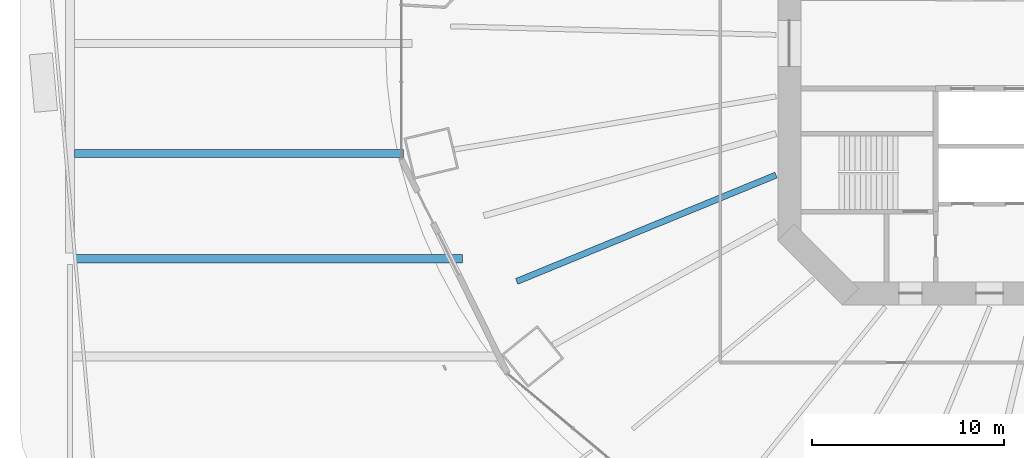
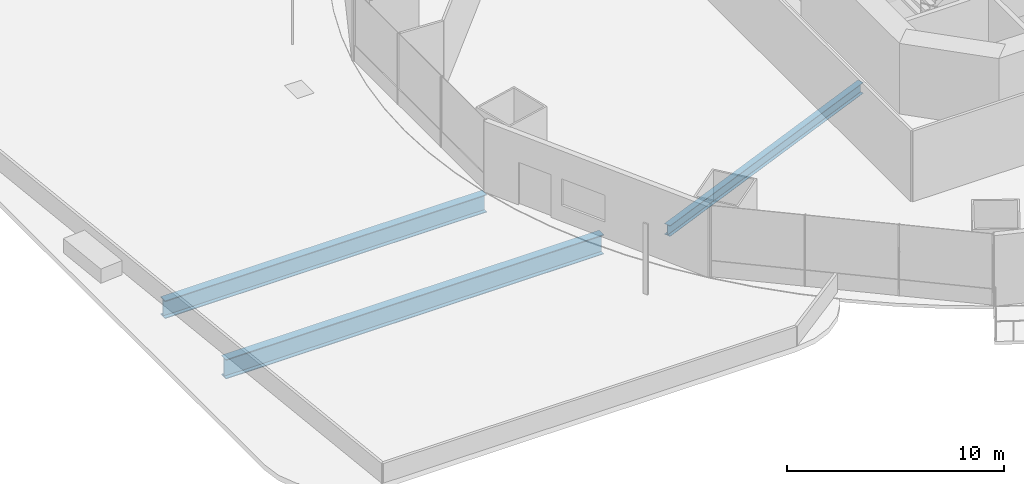
# One storey, part 3 of 27: 3 beams.
"""IFC4 building model written with IfcOpenShell, lengths in metres."""

from ifc_helpers import new_model, si_unit, direction, frame, origin, origin_2d, place, context, subcontext, project, spatial, i_section, extrude, material, material_profile, profile_set, type_object, element, save


model = new_model("IFC4")

# Units and contexts
model_context = context("Model", 3, precision=1e-05, world=origin(), true_north=direction((0.0, 1.0)))
body_context = subcontext(model_context, "Body", "Model", "MODEL_VIEW")
ifc_project = project(units=[si_unit("LENGTHUNIT", "METRE"), si_unit("AREAUNIT", "SQUARE_METRE"), si_unit("VOLUMEUNIT", "CUBIC_METRE"), si_unit("PLANEANGLEUNIT", "RADIAN"), si_unit("MASSUNIT", "GRAM", prefix="KILO")], contexts=[model_context])

# Site, building, storey
site_placement = place(None, origin())
site = spatial("IfcSite", under=ifc_project, at=site_placement, CompositionType="ELEMENT")
building_placement = place(site_placement, origin())
building = spatial("IfcBuilding", under=site, at=building_placement, Name="Marenthal Gate Tower", CompositionType="ELEMENT")
storey_placement = place(building_placement, frame((0.0, 0.0, 33.0)))
storey = spatial("IfcBuildingStorey", under=building, at=storey_placement, Name="L04", CompositionType="ELEMENT", Elevation=33.0)

# Beams
ifc_material_1 = material(Name="Steel S355", Category="steel")
ifc_material_profile_1 = material_profile(ifc_material_1, i_section(OverallWidth=0.419921875, OverallDepth=1.0, WebThickness=0.02001953125, FlangeThickness=0.035888671875, at=origin_2d()), Name="PLATE GIRDER 1000X420X20X36")
ifc_profile_set_1 = profile_set([ifc_material_profile_1], Name="Steel S355")
beam_type_1 = type_object("IfcBeamType", Name="PLATE GIRDER 1000X420X20X36 beam", PredefinedType="BEAM", material=ifc_profile_set_1)
beam_1_placement = place(storey_placement, frame((-36.061279296875, -5.716064453125, -0.840087890625), z_axis=(-1.0, 0.0, 0.0), x_axis=(0.0, -1.0, 0.0)))
element("IfcBeam", 1, at=beam_1_placement, inside=storey, type_object=beam_type_1, Name="BM-L04-119", PredefinedType="BEAM", context=body_context, shape_type="SweptSolid", body=[
    extrude(i_section(OverallWidth=0.419921875, OverallDepth=1.0, WebThickness=0.02001953125, FlangeThickness=0.035888671875, at=origin_2d()), origin(), (0.0, 0.0, 1.0), 17.11376953125),
])
ifc_material_2 = material(Name="Steel S355", Category="steel")
ifc_material_profile_2 = material_profile(ifc_material_2, i_section(OverallWidth=0.429931640625, OverallDepth=1.10009765625, WebThickness=0.02001953125, FlangeThickness=0.0400390625, at=origin_2d()), Name="PLATE GIRDER 1100X430X20X40")
ifc_profile_set_2 = profile_set([ifc_material_profile_2], Name="Steel S355")
beam_type_2 = type_object("IfcBeamType", Name="PLATE GIRDER 1100X430X20X40 beam", PredefinedType="BEAM", material=ifc_profile_set_2)
beam_2_placement = place(storey_placement, frame((-33.002685546875, -11.199951171875, -0.889892578125), z_axis=(-1.0, 0.0, 0.0), x_axis=(0.0, -1.0, 0.0)))
element("IfcBeam", 2, at=beam_2_placement, inside=storey, type_object=beam_type_2, Name="BM-L04-118", PredefinedType="BEAM", context=body_context, shape_type="SweptSolid", body=[
    extrude(i_section(OverallWidth=0.429931640625, OverallDepth=1.10009765625, WebThickness=0.02001953125, FlangeThickness=0.0400390625, at=origin_2d()), origin(), (0.0, 0.0, 1.0), 20.097412109375),
])
ifc_material_3 = material(Name="Steel S355", Category="steel")
ifc_material_profile_3 = material_profile(ifc_material_3, i_section(OverallWidth=0.324951171875, OverallDepth=0.612060546875, WebThickness=0.0126953125, FlangeThickness=0.01904296875, FilletRadius=0.0126953125, at=origin_2d()), Name="W610X155")
ifc_profile_set_3 = profile_set([ifc_material_profile_3], Name="Steel S355")
beam_type_3 = type_object("IfcBeamType", Name="W610X155 beam", PredefinedType="BEAM", material=ifc_profile_set_3)
beam_3_placement = place(storey_placement, frame((-30.18017578125, -12.376953125, -0.486083984375), z_axis=(0.925223376973, 0.379422854746, 0.0), x_axis=(-0.379422854746, 0.925223376973, 0.0)))
element("IfcBeam", 3, at=beam_3_placement, inside=storey, type_object=beam_type_3, Name="BM-L04-30", PredefinedType="BEAM", context=body_context, shape_type="SweptSolid", body=[
    extrude(i_section(OverallWidth=0.324951171875, OverallDepth=0.612060546875, WebThickness=0.0126953125, FlangeThickness=0.01904296875, FilletRadius=0.0126953125, at=origin_2d()), origin(), (0.0, 0.0, 1.0), 14.569580078125),
])

save(model, "model.ifc")
